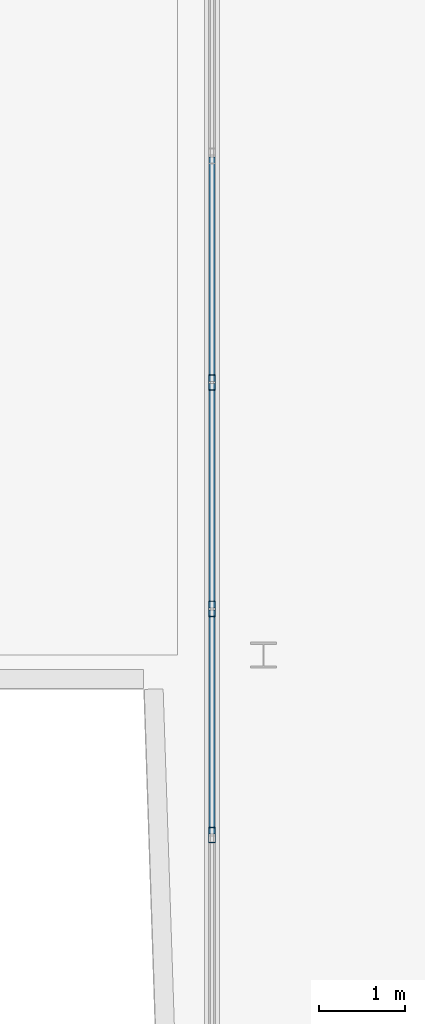
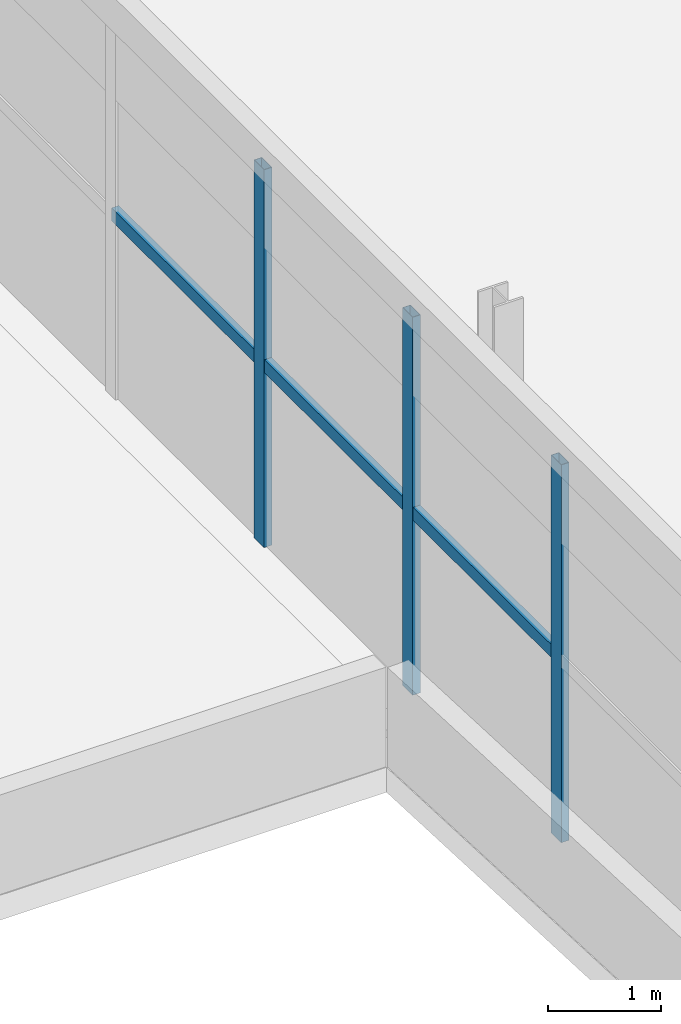
# One storey, part 18 of 31: 6 members, 1 element without a shape of its own.
"""IFC4 building model written with IfcOpenShell, lengths in metres."""

from ifc_helpers import new_model, si_unit, direction, frame, origin, origin_2d, place, context, subcontext, project, spatial, hollow_rectangle, extrude, source, transform, mapped, material, material_profile, profile_set, type_object, element, aggregate, save


model = new_model("IFC4")

# Units and contexts
model_context = context("Model", 3, precision=1e-05, world=origin(), true_north=direction((0.0, 1.0)))
body_context = subcontext(model_context, "Body", "Model", "MODEL_VIEW")
ifc_project = project(units=[si_unit("LENGTHUNIT", "METRE"), si_unit("AREAUNIT", "SQUARE_METRE"), si_unit("VOLUMEUNIT", "CUBIC_METRE"), si_unit("PLANEANGLEUNIT", "RADIAN"), si_unit("MASSUNIT", "GRAM", prefix="KILO")], contexts=[model_context])

# Site, building, storey
site_placement = place(None, origin())
site = spatial("IfcSite", under=ifc_project, at=site_placement, CompositionType="ELEMENT")
building_placement = place(site_placement, origin())
building = spatial("IfcBuilding", under=site, at=building_placement, Name="Trelvane Seafront Commons", CompositionType="ELEMENT")
storey_placement = place(building_placement, frame((0.0, 0.0, 307.89990234375)))
storey = spatial("IfcBuildingStorey", under=building, at=storey_placement, Name="L80", CompositionType="ELEMENT", Elevation=307.89990234375)

# Curtain wall, members
ifc_material = material(Name="Anodised pale-silver aluminium", Category="aluminium")
curtain_wall_type = type_object("IfcCurtainWallType", Name="ARCH-CW6-CROWN", PredefinedType="NOTDEFINED", material=ifc_material)
curtain_wall_placement = place(storey_placement, origin())
curtain_wall = element("IfcCurtainWall", 1, at=curtain_wall_placement, inside=storey, type_object=curtain_wall_type, Name="CW-L80-0140", PredefinedType="NOTDEFINED")
ifc_material_profile_1 = material_profile(ifc_material, hollow_rectangle(XDim=0.080078125, YDim=0.179931640625, WallThickness=0.00439453125, at=origin_2d()), Name="MULL-80x180x4.5")
ifc_profile_set_1 = profile_set([ifc_material_profile_1], Name="Anodised pale-silver aluminium")
member_type_1 = type_object("IfcMemberType", Name="ARCH-CW-MULL-180", PredefinedType="MULLION", material=ifc_profile_set_1)
shared_shape_1 = source(origin(), body_context, "Body", "SweptSolid", [
    extrude(hollow_rectangle(XDim=0.080078125, YDim=0.179931640625, WallThickness=0.00439453125, at=origin_2d()), origin(), (0.0, 0.0, 1.0), 4.10009765625),
])
member_1_placement = place(storey_placement, frame((43.199951171875, 31.300048828125, 0.0), z_axis=(0.0, 0.0, 1.0), x_axis=(1.0, 0.0, 0.0)))
member_1 = element("IfcMember", 2, at=member_1_placement, type_object=member_type_1, Name="CW-L80-0140-M05", PredefinedType="MULLION", context=body_context, shape_type="MappedRepresentation", body=[
    mapped(shared_shape_1, transform((0.0, 0.0, 0.0), x_axis=(1.0, 0.0, 0.0), y_axis=(0.0, 1.0, 0.0), z_axis=(0.0, 0.0, 1.0), scale=1.0)),
])
member_2_placement = place(storey_placement, frame((43.199951171875, 33.93994140625, 0.0), z_axis=(0.0, 0.0, 1.0), x_axis=(1.0, 0.0, 0.0)))
member_2 = element("IfcMember", 3, at=member_2_placement, type_object=member_type_1, Name="CW-L80-0140-M06", PredefinedType="MULLION", context=body_context, shape_type="MappedRepresentation", body=[
    mapped(shared_shape_1, transform((0.0, 0.0, 0.0), x_axis=(1.0, 0.0, 0.0), y_axis=(0.0, 1.0, 0.0), z_axis=(0.0, 0.0, 1.0), scale=1.0)),
])
member_3_placement = place(storey_placement, frame((43.199951171875, 36.580078125, 0.0), z_axis=(0.0, 0.0, 1.0), x_axis=(1.0, 0.0, 0.0)))
member_3 = element("IfcMember", 4, at=member_3_placement, type_object=member_type_1, Name="CW-L80-0140-M07", PredefinedType="MULLION", context=body_context, shape_type="MappedRepresentation", body=[
    mapped(shared_shape_1, transform((0.0, 0.0, 0.0), x_axis=(1.0, 0.0, 0.0), y_axis=(0.0, 1.0, 0.0), z_axis=(0.0, 0.0, 1.0), scale=1.0)),
])
ifc_material_profile_2 = material_profile(ifc_material, hollow_rectangle(XDim=0.074951171875, YDim=0.139892578125, WallThickness=0.00390625, at=origin_2d()), Name="TRAN-75x140x4")
ifc_profile_set_2 = profile_set([ifc_material_profile_2], Name="Anodised pale-silver aluminium")
member_type_2 = type_object("IfcMemberType", Name="ARCH-CW-TRAN-140", PredefinedType="USERDEFINED", material=ifc_profile_set_2)
shared_shape_2 = source(origin(), body_context, "Body", "SweptSolid", [
    extrude(hollow_rectangle(XDim=0.074951171875, YDim=0.139892578125, WallThickness=0.00390625, at=origin_2d()), origin(), (0.0, 0.0, 1.0), 2.615966796875),
])
member_4_placement = place(storey_placement, frame((43.199951171875, 31.31201171875, 1.968017578125), z_axis=(0.0, 1.0, 0.0), x_axis=(-1.0, 0.0, 0.0)))
member_4 = element("IfcMember", 5, at=member_4_placement, type_object=member_type_2, Name="CW-L80-0140-T05", ObjectType="TRANSOM", PredefinedType="USERDEFINED", context=body_context, shape_type="MappedRepresentation", body=[
    mapped(shared_shape_2, transform((0.0, 0.0, 0.0), x_axis=(1.0, 0.0, 0.0), y_axis=(0.0, 1.0, 0.0), z_axis=(0.0, 0.0, 1.0), scale=1.0)),
])
member_5_placement = place(storey_placement, frame((43.199951171875, 36.592041015625, 1.968017578125), z_axis=(0.0, 1.0, 0.0), x_axis=(-1.0, 0.0, 0.0)))
member_5 = element("IfcMember", 6, at=member_5_placement, type_object=member_type_2, Name="CW-L80-0140-T07", ObjectType="TRANSOM", PredefinedType="USERDEFINED", context=body_context, shape_type="MappedRepresentation", body=[
    mapped(shared_shape_2, transform((0.0, 0.0, 0.0), x_axis=(1.0, 0.0, 0.0), y_axis=(0.0, 1.0, 0.0), z_axis=(0.0, 0.0, 1.0), scale=1.0)),
])
shared_shape_3 = source(origin(), body_context, "Body", "SweptSolid", [
    extrude(hollow_rectangle(XDim=0.074951171875, YDim=0.139892578125, WallThickness=0.00390625, at=origin_2d()), origin(), (0.0, 0.0, 1.0), 2.6162109375),
])
member_6_placement = place(storey_placement, frame((43.199951171875, 33.951904296875, 1.968017578125), z_axis=(0.0, 1.0, 0.0), x_axis=(-1.0, 0.0, 0.0)))
member_6 = element("IfcMember", 7, at=member_6_placement, type_object=member_type_2, Name="CW-L80-0140-T06", ObjectType="TRANSOM", PredefinedType="USERDEFINED", context=body_context, shape_type="MappedRepresentation", body=[
    mapped(shared_shape_3, transform((0.0, 0.0, 0.0), x_axis=(1.0, 0.0, 0.0), y_axis=(0.0, 1.0, 0.0), z_axis=(0.0, 0.0, 1.0), scale=1.0)),
])
aggregate(curtain_wall, [member_1, member_2, member_3, member_4, member_6, member_5])

save(model, "model.ifc")
